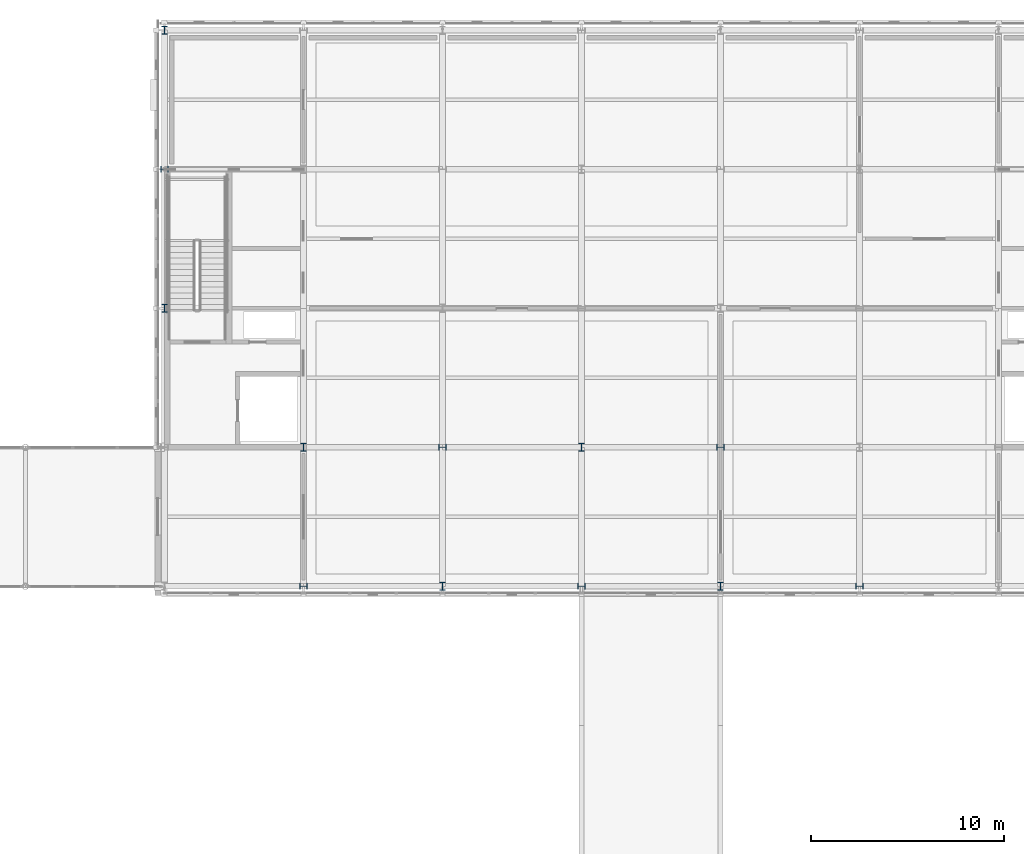
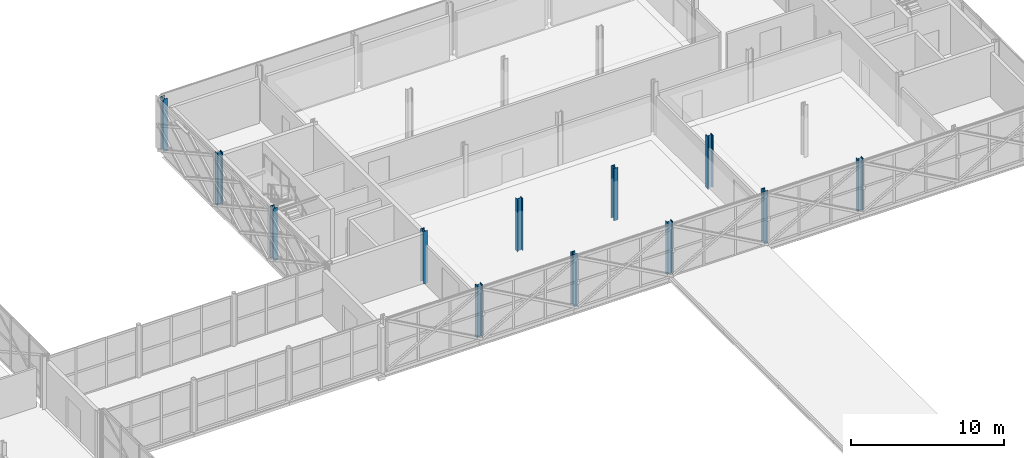
# One storey, part 11 of 126: 12 columns.
"""IFC4 building model written with IfcOpenShell, lengths in metres."""

from ifc_helpers import new_model, si_unit, direction, frame, origin, origin_2d, place, context, subcontext, project, spatial, i_section, extrude, material, material_profile, profile_set, type_object, element, save


model = new_model("IFC4")

# Units and contexts
model_context = context("Model", 3, precision=1e-05, world=origin(), true_north=direction((0.0, 1.0)))
body_context = subcontext(model_context, "Body", "Model", "MODEL_VIEW")
ifc_project = project(units=[si_unit("LENGTHUNIT", "METRE"), si_unit("AREAUNIT", "SQUARE_METRE"), si_unit("VOLUMEUNIT", "CUBIC_METRE"), si_unit("PLANEANGLEUNIT", "RADIAN"), si_unit("MASSUNIT", "GRAM", prefix="KILO")], contexts=[model_context])

# Site, building, storey
site_placement = place(None, origin())
site = spatial("IfcSite", under=ifc_project, at=site_placement, CompositionType="ELEMENT")
building_placement = place(site_placement, origin())
building = spatial("IfcBuilding", under=site, at=building_placement, Name="Zlatovets Crest Museum", CompositionType="ELEMENT")
storey_placement = place(building_placement, frame((0.0, 0.0, 8.699951171875)))
storey = spatial("IfcBuildingStorey", under=building, at=storey_placement, Name="L02", CompositionType="ELEMENT", Elevation=8.699951171875)

# Columns
ifc_material = material(Name="Structural steel S355J2", Category="steel")
ifc_material_profile = material_profile(ifc_material, i_section(OverallWidth=0.300048828125, OverallDepth=0.39990234375, WebThickness=0.013427734375, FlangeThickness=0.02392578125, FilletRadius=0.027099609375, at=origin_2d()), Name="HEB 400")
ifc_profile_set = profile_set([ifc_material_profile], Name="Structural steel S355J2")
column_type = type_object("IfcColumnType", Name="Col_C-07", PredefinedType="COLUMN", material=ifc_profile_set)
for number, where, z_axis, x_axis, name in (
    (1, (57.60009765625, 100.800048828125, 0.0), (0.0, 0.0, 1.0), (1.0, 0.0, 0.0), "V1 L02 Column (57.6, 100.8)"),
    (2, (57.60009765625, 108.0, 0.0), (0.0, 0.0, 1.0), (0.0, 1.0, 0.0), "V1 L02 Column (57.6, 108.0)"),
    (3, (57.60009765625, 115.199951171875, 0.0), (0.0, 0.0, 1.0), (1.0, 0.0, 0.0), "V1 L02 Column (57.6, 115.2)"),
    (4, (64.800048828125, 86.39990234375, 0.0), (0.0, 0.0, 1.0), (0.0, 1.0, 0.0), "V1 L02 Column (64.8, 86.4)"),
    (5, (64.800048828125, 93.60009765625, 0.0), (0.0, 0.0, 1.0), (1.0, 0.0, 0.0), "V1 L02 Column (64.8, 93.6)"),
    (6, (72.0, 86.39990234375, 0.0), (0.0, 0.0, 1.0), (1.0, 0.0, 0.0), "V1 L02 Column (72.0, 86.4)"),
    (7, (72.0, 93.60009765625, 0.0), (0.0, 0.0, 1.0), (0.0, 1.0, 0.0), "V1 L02 Column (72.0, 93.6)"),
    (8, (79.199951171875, 86.39990234375, 0.0), (0.0, 0.0, 1.0), (0.0, 1.0, 0.0), "V1 L02 Column (79.2, 86.4)"),
    (9, (79.199951171875, 93.60009765625, 0.0), (0.0, 0.0, 1.0), (1.0, 0.0, 0.0), "V1 L02 Column (79.2, 93.6)"),
    (10, (86.39990234375, 86.39990234375, 0.0), (0.0, 0.0, 1.0), (1.0, 0.0, 0.0), "V1 L02 Column (86.4, 86.4)"),
    (11, (86.39990234375, 93.60009765625, 0.0), (0.0, 0.0, 1.0), (0.0, 1.0, 0.0), "V1 L02 Column (86.4, 93.6)"),
    (12, (93.60009765625, 86.39990234375, 0.0), (0.0, 0.0, 1.0), (0.0, 1.0, 0.0), "V1 L02 Column (93.6, 86.4)"),
):
    element("IfcColumn", number, at=place(storey_placement, frame(where, z_axis=z_axis, x_axis=x_axis)), inside=storey, type_object=column_type, Name=name, PredefinedType="COLUMN", context=body_context, shape_type="SweptSolid", body=[
        extrude(i_section(OverallWidth=0.300048828125, OverallDepth=0.39990234375, WebThickness=0.013427734375, FlangeThickness=0.02392578125, FilletRadius=0.027099609375, at=origin_2d()), origin(), (0.0, 0.0, 1.0), 4.199951171875),
    ])

save(model, "model.ifc")
